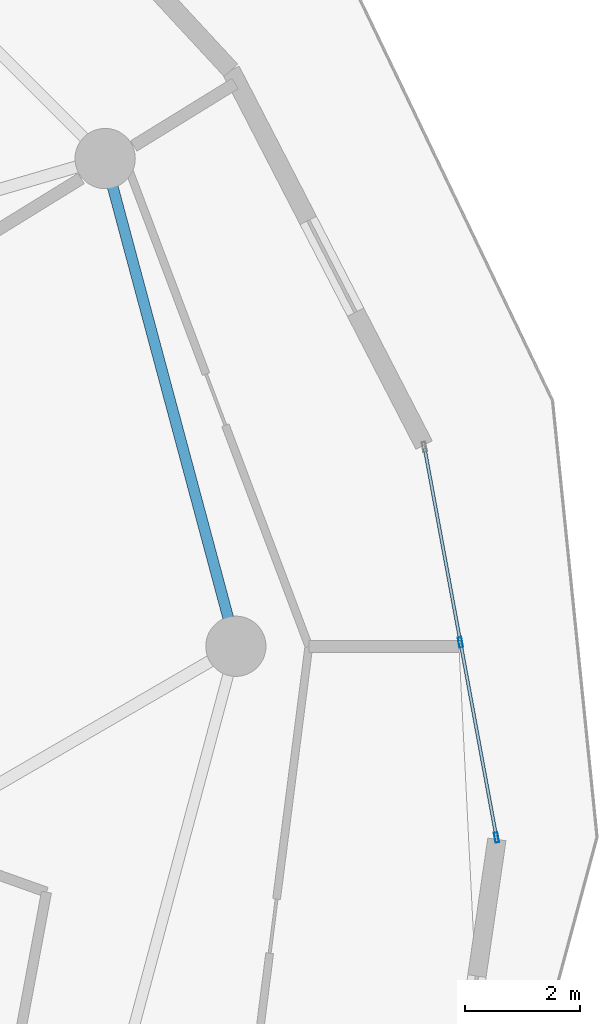
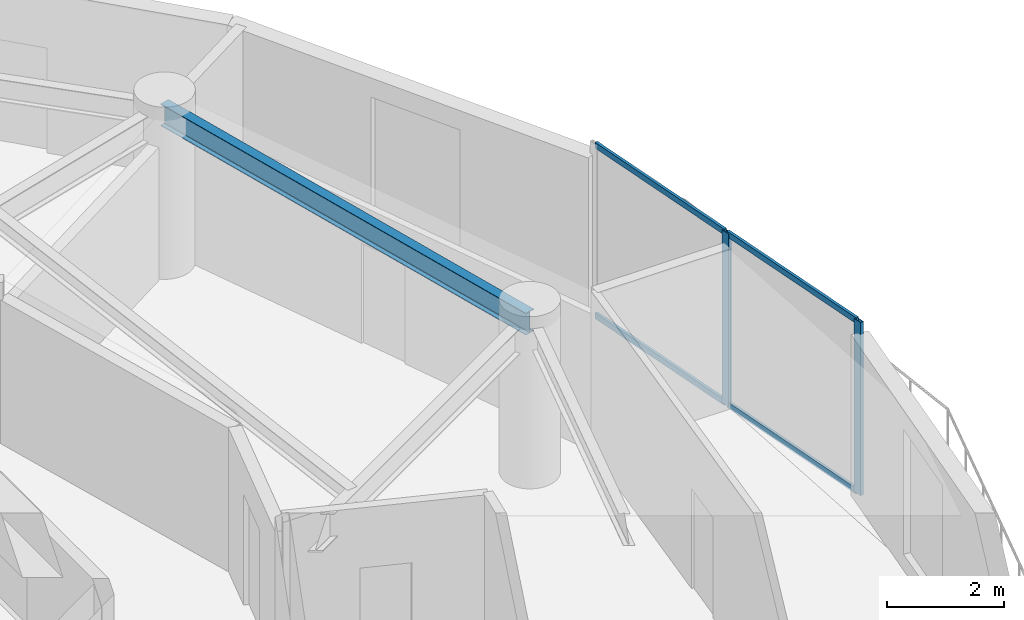
# One storey, part 9 of 21: 6 members, 1 beam, 1 element without a shape of its own.
"""IFC4 building model written with IfcOpenShell, lengths in metres."""

from ifc_helpers import new_model, si_unit, direction, frame, origin, origin_2d, place, context, subcontext, project, spatial, hollow_rectangle, i_section, extrude, source, transform, mapped, material, layer, layer_set, material_profile, profile_set, type_object, element, aggregate, save


model = new_model("IFC4")

# Units and contexts
model_context = context("Model", 3, precision=1e-05, world=origin(), true_north=direction((0.0, 1.0)))
body_context = subcontext(model_context, "Body", "Model", "MODEL_VIEW")
ifc_project = project(units=[si_unit("LENGTHUNIT", "METRE"), si_unit("AREAUNIT", "SQUARE_METRE"), si_unit("VOLUMEUNIT", "CUBIC_METRE"), si_unit("PLANEANGLEUNIT", "RADIAN"), si_unit("MASSUNIT", "GRAM", prefix="KILO")], contexts=[model_context])

# Site, building, storey
site_placement = place(None, origin())
site = spatial("IfcSite", under=ifc_project, at=site_placement, CompositionType="ELEMENT")
building_placement = place(site_placement, origin())
building = spatial("IfcBuilding", under=site, at=building_placement, Name="Solvirekh Grand Hotel", CompositionType="ELEMENT")
storey_placement = place(building_placement, frame((0.0, 0.0, 131.39990234375)))
storey = spatial("IfcBuildingStorey", under=building, at=storey_placement, Name="L33", CompositionType="ELEMENT", Elevation=131.39990234375)

# Beam
ifc_material_1 = material(Name="Steel S355", Category="steel")
ifc_material_profile_1 = material_profile(ifc_material_1, i_section(OverallWidth=0.18994140625, OverallDepth=0.45703125, WebThickness=0.009033203125, FlangeThickness=0.013916015625, FilletRadius=0.012939453125, at=origin_2d()), Name="W460X74")
ifc_profile_set_1 = profile_set([ifc_material_profile_1], Name="Steel S355")
beam_type = type_object("IfcBeamType", Name="Spandrel_Ring_W460", PredefinedType="SPANDREL", material=ifc_profile_set_1)
beam_placement = place(storey_placement, frame((17.0, 0.0, 3.1220703125), z_axis=(-0.258872908946, 0.965911391906, 0.0), x_axis=(-0.965911391906, -0.258872908946, 0.0)))
element("IfcBeam", 1, at=beam_placement, inside=storey, type_object=beam_type, Name="L33 perimeter spandrel beam 1", PredefinedType="SPANDREL", context=body_context, shape_type="SweptSolid", body=[
    extrude(i_section(OverallWidth=0.18994140625, OverallDepth=0.45703125, WebThickness=0.009033203125, FlangeThickness=0.013916015625, FilletRadius=0.012939453125, at=origin_2d()), origin(), (0.0, 0.0, 1.0), 8.800048828125),
])

# Curtain wall, members
ifc_material_2 = material(Name="Anodized Bronze Aluminium 6063-T6", Category="aluminium")
ifc_layer = layer(ifc_material_2, 0.175048828125)
ifc_layer_set = layer_set([ifc_layer], Name="Anodized Bronze Aluminium 6063-T6")
curtain_wall_type = type_object("IfcCurtainWallType", Name="CW_Sys3_MidZoneFlushBronzeCW", PredefinedType="NOTDEFINED", material=ifc_layer_set)
curtain_wall_placement = place(storey_placement, origin())
curtain_wall = element("IfcCurtainWall", 2, at=curtain_wall_placement, inside=storey, type_object=curtain_wall_type, Name="L33 unitised bronze-glass curtain wall CW-L33-C03", PredefinedType="NOTDEFINED")
ifc_material_profile_2 = material_profile(ifc_material_2, hollow_rectangle(XDim=0.06494140625, YDim=0.175048828125, WallThickness=0.0048828125, at=origin_2d()), Name="ALU RHS 175X65X5")
ifc_profile_set_2 = profile_set([ifc_material_profile_2], Name="Anodized Bronze Aluminium 6063-T6")
member_type_1 = type_object("IfcMemberType", Name="CWMullion_Sys3", PredefinedType="MULLION", material=ifc_profile_set_2)
shared_shape_1 = source(origin(), body_context, "Body", "SweptSolid", [
    extrude(hollow_rectangle(XDim=0.06494140625, YDim=0.175048828125, WallThickness=0.0048828125, at=origin_2d()), origin(), (0.0, 0.0, 1.0), 3.60009765625),
])
member_1_placement = place(storey_placement, frame((21.543212890625, -3.333984375, 0.0), z_axis=(0.0, 0.0, 1.0), x_axis=(-0.983378643354, -0.181566637342, 0.0)))
member_1 = element("IfcMember", 3, at=member_1_placement, type_object=member_type_1, Name="U03 mullion 1", PredefinedType="MULLION", context=body_context, shape_type="MappedRepresentation", body=[
    mapped(shared_shape_1, transform((0.0, 0.0, 0.0), x_axis=(1.0, 0.0, 0.0), y_axis=(0.0, 1.0, 0.0), z_axis=(0.0, 0.0, 1.0), scale=1.0)),
])
member_2_placement = place(storey_placement, frame((20.91455078125, 0.070556640625, 0.0), z_axis=(0.0, 0.0, 1.0), x_axis=(-0.983378643354, -0.181566637342, 0.0)))
member_2 = element("IfcMember", 4, at=member_2_placement, type_object=member_type_1, Name="U03 mullion 2", PredefinedType="MULLION", context=body_context, shape_type="MappedRepresentation", body=[
    mapped(shared_shape_1, transform((0.0, 0.0, 0.0), x_axis=(1.0, 0.0, 0.0), y_axis=(0.0, 1.0, 0.0), z_axis=(0.0, 0.0, 1.0), scale=1.0)),
])
ifc_material_profile_3 = material_profile(ifc_material_2, hollow_rectangle(XDim=0.054931640625, YDim=0.1201171875, WallThickness=0.00390625, at=origin_2d()), Name="ALU RHS 120X55X4")
ifc_profile_set_3 = profile_set([ifc_material_profile_3], Name="Anodized Bronze Aluminium 6063-T6")
member_type_2 = type_object("IfcMemberType", Name="CWTransom_Sys3", PredefinedType="USERDEFINED", material=ifc_profile_set_3)
shared_shape_2 = source(origin(), body_context, "Body", "SweptSolid", [
    extrude(hollow_rectangle(XDim=0.054931640625, YDim=0.1201171875, WallThickness=0.00390625, at=origin_2d()), origin(), (0.0, 0.0, 1.0), 3.39697265625),
])
member_3_placement = place(storey_placement, frame((21.537109375, -3.302001953125, 0.027587890625), z_axis=(-0.181541064047, 0.983383364749, 0.0), x_axis=(-0.983383364749, -0.181541064047, 0.0)))
member_3 = element("IfcMember", 5, at=member_3_placement, type_object=member_type_2, Name="U03 transom 1.1", ObjectType="TRANSOM", PredefinedType="USERDEFINED", context=body_context, shape_type="MappedRepresentation", body=[
    mapped(shared_shape_2, transform((0.0, 0.0, 0.0), x_axis=(1.0, 0.0, 0.0), y_axis=(0.0, 1.0, 0.0), z_axis=(0.0, 0.0, 1.0), scale=1.0)),
])
member_4_placement = place(storey_placement, frame((21.537109375, -3.302001953125, 3.572509765625), z_axis=(-0.181541064047, 0.983383364749, 0.0), x_axis=(-0.983383364749, -0.181541064047, 0.0)))
member_4 = element("IfcMember", 6, at=member_4_placement, type_object=member_type_2, Name="U03 transom 1.2", ObjectType="TRANSOM", PredefinedType="USERDEFINED", context=body_context, shape_type="MappedRepresentation", body=[
    mapped(shared_shape_2, transform((0.0, 0.0, 0.0), x_axis=(1.0, 0.0, 0.0), y_axis=(0.0, 1.0, 0.0), z_axis=(0.0, 0.0, 1.0), scale=1.0)),
])
member_5_placement = place(storey_placement, frame((20.90869140625, 0.1025390625, 0.027587890625), z_axis=(-0.181610563077, 0.983370532088, 0.0), x_axis=(-0.983370532088, -0.181610563077, 0.0)))
member_5 = element("IfcMember", 7, at=member_5_placement, type_object=member_type_2, Name="U03 transom 2.1", ObjectType="TRANSOM", PredefinedType="USERDEFINED", context=body_context, shape_type="MappedRepresentation", body=[
    mapped(shared_shape_2, transform((0.0, 0.0, 0.0), x_axis=(1.0, 0.0, 0.0), y_axis=(0.0, 1.0, 0.0), z_axis=(0.0, 0.0, 1.0), scale=1.0)),
])
member_6_placement = place(storey_placement, frame((20.90869140625, 0.1025390625, 3.572509765625), z_axis=(-0.181610563077, 0.983370532088, 0.0), x_axis=(-0.983370532088, -0.181610563077, 0.0)))
member_6 = element("IfcMember", 8, at=member_6_placement, type_object=member_type_2, Name="U03 transom 2.2", ObjectType="TRANSOM", PredefinedType="USERDEFINED", context=body_context, shape_type="MappedRepresentation", body=[
    mapped(shared_shape_2, transform((0.0, 0.0, 0.0), x_axis=(1.0, 0.0, 0.0), y_axis=(0.0, 1.0, 0.0), z_axis=(0.0, 0.0, 1.0), scale=1.0)),
])
aggregate(curtain_wall, [member_1, member_2, member_3, member_4, member_5, member_6])

save(model, "model.ifc")
